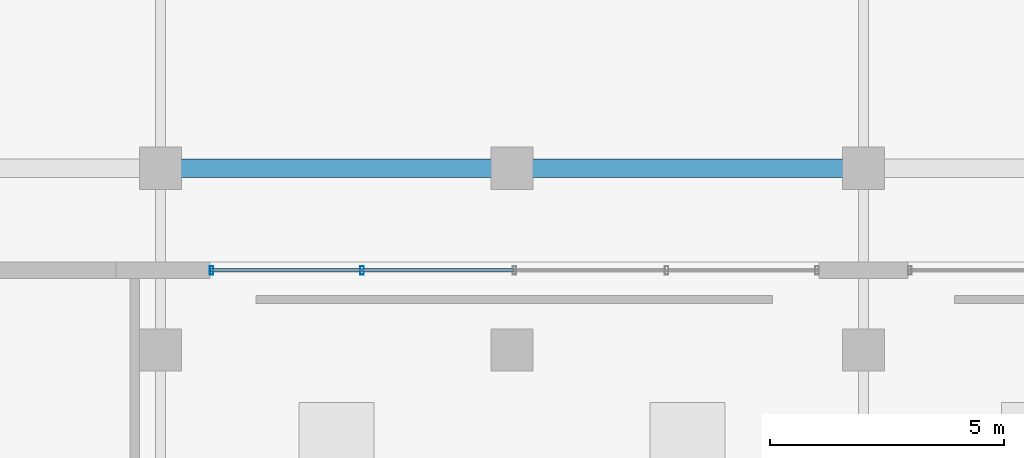
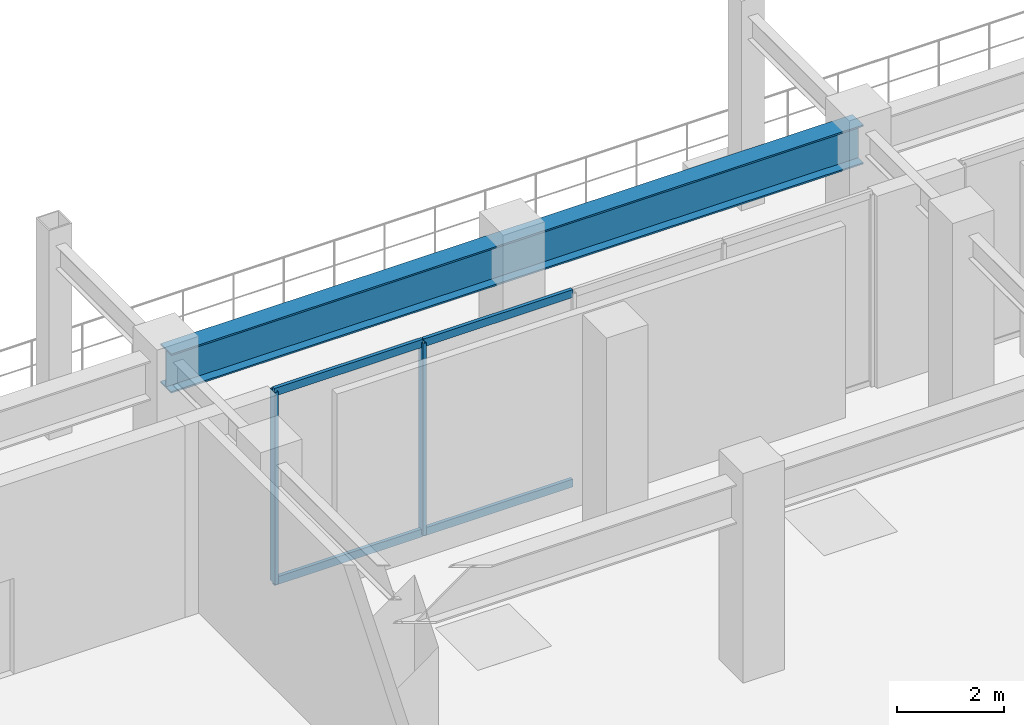
# One storey, part 4 of 15: 6 members, 1 beam, 1 element without a shape of its own.
"""IFC4 building model written with IfcOpenShell, lengths in metres."""

import ifcopenshell
import ifcopenshell.guid

model = None  # the IFC model being written
_history = None  # IfcOwnerHistory: only IFC2X3 demands one
_inside = {}  # id of a spatial element -> (the spatial element, [elements in it])
_under = {}  # id of a project, library or spatial element -> (it, [spatial elements below it])
_declared = {}  # id of a project -> (the project, [libraries it declares])
_typed = {}  # id of a type object -> (the type object, [elements of that type])
_made_of = {}  # id of a material, layer set ... -> (it, [elements and type objects made of it])


def new_model(schema):
    """Start an empty IFC model of exactly this schema.

    Asked for "IFC4X3", IfcOpenShell would pick the latest addendum, in which some entities
    have other attributes; the version numbers below select the first issue.
    IFC2X3 requires an IfcOwnerHistory on every rooted entity: one is made here for all.
    """
    global model, _history
    if schema == "IFC4X3":
        model = ifcopenshell.file(schema_version=(4, 3, 0, 0))
    else:
        model = ifcopenshell.file(schema=schema)
    _inside.clear()
    _under.clear()
    _declared.clear()
    _typed.clear()
    _made_of.clear()
    _history = None
    if model.schema == "IFC2X3":
        org = make("IfcOrganization", Name="unknown")
        user = make(
            "IfcPersonAndOrganization",
            ThePerson=make("IfcPerson", FamilyName="unknown"),
            TheOrganization=org,
        )
        app = make(
            "IfcApplication",
            ApplicationDeveloper=org,
            Version="unknown",
            ApplicationFullName="unknown",
            ApplicationIdentifier="unknown",
        )
        _history = make(
            "IfcOwnerHistory",
            OwningUser=user,
            OwningApplication=app,
            ChangeAction="ADDED",
            CreationDate=0,
        )
    return model


def make(cls, **values):
    """One entity of the class cls with the attributes given. An attribute that is None is left unset."""
    return model.create_entity(
        cls, **{name: value for name, value in values.items() if value is not None}
    )


def rooted(cls, **values):
    """An entity with a GlobalId (a new one), such as an element, a storey or a relation."""
    return make(cls, GlobalId=ifcopenshell.guid.new(), OwnerHistory=_history, **values)


def si_unit(unit_type, name, prefix=None):
    """IfcSIUnit, for example si_unit("LENGTHUNIT", "METRE", prefix="MILLI")."""
    return make("IfcSIUnit", UnitType=unit_type, Prefix=prefix, Name=name)


def assignment(units):
    """IfcUnitAssignment: the units of a project."""
    return None if units is None else make("IfcUnitAssignment", Units=units)


def point(xyz):
    """IfcCartesianPoint."""
    return None if xyz is None else make("IfcCartesianPoint", Coordinates=xyz)


def direction(xyz):
    """IfcDirection."""
    return None if xyz is None else make("IfcDirection", DirectionRatios=xyz)


def frame(location, z_axis=None, x_axis=None):
    """IfcAxis2Placement3D, a coordinate frame: its origin and axes. An axis left out is left unset."""
    return make(
        "IfcAxis2Placement3D",
        Location=point(location),
        Axis=direction(z_axis),
        RefDirection=direction(x_axis),
    )


def frame_2d(location, x_axis=None):
    """IfcAxis2Placement2D, a coordinate frame in the plane: its origin and x axis."""
    return make(
        "IfcAxis2Placement2D", Location=point(location), RefDirection=direction(x_axis)
    )


def origin():
    """The frame at (0, 0, 0) with its axes left unset."""
    return frame((0.0, 0.0, 0.0))


def origin_2d():
    """The frame at (0, 0) in the plane with its x axis left unset."""
    return frame_2d((0.0, 0.0))


def place(relative_to, where):
    """IfcLocalPlacement: puts the frame where relative to a parent placement (None: the world)."""
    return make(
        "IfcLocalPlacement", PlacementRelTo=relative_to, RelativePlacement=where
    )


def context(
    kind, dimensions, precision=None, world=None, true_north=None, identifier=None
):
    """IfcGeometricRepresentationContext, for example the 3D "Model" context."""
    return make(
        "IfcGeometricRepresentationContext",
        ContextIdentifier=identifier,
        ContextType=kind,
        CoordinateSpaceDimension=dimensions,
        Precision=precision,
        WorldCoordinateSystem=world,
        TrueNorth=true_north,
    )


def subcontext(parent, identifier, kind, view, scale=None):
    """IfcGeometricRepresentationSubContext, for example "Body" below "Model"."""
    return make(
        "IfcGeometricRepresentationSubContext",
        ContextIdentifier=identifier,
        ContextType=kind,
        ParentContext=parent,
        TargetScale=scale,
        TargetView=view,
    )


def project(units=None, contexts=None):
    """IfcProject with its units and contexts."""
    return rooted(
        "IfcProject",
        Name="project",
        RepresentationContexts=contexts,
        UnitsInContext=assignment(units),
    )


def spatial(cls, under=None, at=None, **own):
    """A site, building, storey or space (cls), placed at a placement, below another one or the project."""
    s = rooted(cls, ObjectPlacement=at, **own)
    if under is not None:
        _under.setdefault(under.id(), (under, []))[1].append(s)
    return s


def profile(cls, at=None, kind="AREA", **sizes):
    """A parametric profile (cls). Its sizes go by their IFC names, for example OverallWidth=200.0."""
    return make(cls, ProfileType=kind, Position=at, **sizes)


def hollow_rectangle(**sizes):
    """IfcRectangleHollowProfileDef."""
    return profile("IfcRectangleHollowProfileDef", **sizes)


def i_section(**sizes):
    """IfcIShapeProfileDef."""
    return profile("IfcIShapeProfileDef", **sizes)


def extrude(swept, where, along, depth):
    """IfcExtrudedAreaSolid: the profile swept, set in the frame where, extruded along a direction by depth."""
    return make(
        "IfcExtrudedAreaSolid",
        SweptArea=swept,
        Position=where,
        ExtrudedDirection=direction(along),
        Depth=depth,
    )


def shape(context_of_items, identifier, shape_type, items):
    """IfcShapeRepresentation: the items that make up one representation, for example the "Body"."""
    return make(
        "IfcShapeRepresentation",
        ContextOfItems=context_of_items,
        RepresentationIdentifier=identifier,
        RepresentationType=shape_type,
        Items=items,
    )


def material(Name=None, Category=None):
    """IfcMaterial."""
    return make("IfcMaterial", Name=Name, Category=Category)


def material_profile(
    of_material, cross_section, Name=None, Category=None, Priority=None
):
    """IfcMaterialProfile: a cross section and its material."""
    return make(
        "IfcMaterialProfile",
        Name=Name,
        Material=of_material,
        Profile=cross_section,
        Priority=Priority,
        Category=Category,
    )


def profile_set(profiles, Name=None, composite=None):
    """IfcMaterialProfileSet."""
    return make(
        "IfcMaterialProfileSet",
        Name=Name,
        MaterialProfiles=profiles,
        CompositeProfile=composite,
    )


def made_of(thing, what):
    """Note that an element or type object is made of a material, layer set ...; save() writes the relation."""
    if what is not None:
        _made_of.setdefault(what.id(), (what, []))[1].append(thing)
    return thing


def type_object(cls, material=None, **own):
    """A type object (cls), such as IfcWallType, which elements share."""
    return made_of(rooted(cls, **own), material)


def element(
    cls,
    number,
    at=None,
    inside=None,
    cuts=None,
    type_object=None,
    material=None,
    context=None,
    identifier="Body",
    shape_type=None,
    held_by="IfcProductDefinitionShape",
    body=None,
    shapes=None,
    **own,
):
    """One element of the class cls, such as IfcWall. Its Tag is "e" and its number.

    at: its placement. inside: the storey or other place that contains it. cuts: it is an
    opening in that element (IfcRelVoidsElement). A single representation is given by context,
    identifier, shape_type and body (its items); several are given by shapes. held_by: the class
    of the entity that holds the representations. save() writes the other relations.
    """
    e = rooted(cls, Tag="e%d" % number, ObjectPlacement=at, **own)
    if body is not None:
        shapes = [shape(context, identifier, shape_type, body)]
    if shapes is not None:
        e.Representation = make(held_by, Representations=shapes)
    if inside is not None:
        _inside.setdefault(inside.id(), (inside, []))[1].append(e)
    if cuts is not None:
        rooted(
            "IfcRelVoidsElement", RelatingBuildingElement=cuts, RelatedOpeningElement=e
        )
    if type_object is not None:
        _typed.setdefault(type_object.id(), (type_object, []))[1].append(e)
    return made_of(e, material)


def aggregate(whole, parts):
    """IfcRelAggregates: a whole, such as a stair, and the parts it consists of."""
    return rooted("IfcRelAggregates", RelatingObject=whole, RelatedObjects=parts)


def save(model, path):
    """Write the relations noted so far, then the file.

    IfcRelAggregates (storeys below a building ...), IfcRelContainedInSpatialStructure (elements
    in a storey), IfcRelDefinesByType, IfcRelAssociatesMaterial and IfcRelDeclares: one each for
    every whole, place, type object, material and project.
    """
    for whole, parts in _under.values():
        aggregate(whole, parts)
    for where, things in _inside.values():
        rooted(
            "IfcRelContainedInSpatialStructure",
            RelatedElements=things,
            RelatingStructure=where,
        )
    for kind, things in _typed.values():
        rooted("IfcRelDefinesByType", RelatedObjects=things, RelatingType=kind)
    for what, things in _made_of.values():
        rooted("IfcRelAssociatesMaterial", RelatedObjects=things, RelatingMaterial=what)
    for by, libraries in _declared.values():
        rooted("IfcRelDeclares", RelatingContext=by, RelatedDefinitions=libraries)
    model.write(path)


model = new_model("IFC4")

# Units and contexts
model_context = context("Model", 3, precision=1e-05, world=origin(), true_north=direction((0.0, 1.0)))
body_context = subcontext(model_context, "Body", "Model", "MODEL_VIEW")
ifc_project = project(units=[si_unit("LENGTHUNIT", "METRE"), si_unit("AREAUNIT", "SQUARE_METRE"), si_unit("VOLUMEUNIT", "CUBIC_METRE"), si_unit("PLANEANGLEUNIT", "RADIAN"), si_unit("MASSUNIT", "GRAM", prefix="KILO")], contexts=[model_context])

# Site, building, storey
site_placement = place(None, origin())
site = spatial("IfcSite", under=ifc_project, at=site_placement, CompositionType="ELEMENT")
building_placement = place(site_placement, origin())
building = spatial("IfcBuilding", under=site, at=building_placement, Name="Ventersveld Concourse Tower", CompositionType="ELEMENT")
storey_placement = place(building_placement, frame((0.0, 0.0, 19.800048828125)))
storey = spatial("IfcBuildingStorey", under=building, at=storey_placement, Name="L04", CompositionType="ELEMENT", Elevation=19.800048828125)

# Curtain wall, members
ifc_material_1 = material(Name="Anodised aluminium EN AW-6063-T6", Category="aluminium")
curtain_wall_type = type_object("IfcCurtainWallType", Name="CW-POD-2", PredefinedType="NOTDEFINED", material=ifc_material_1)
curtain_wall_placement = place(storey_placement, origin())
curtain_wall = element("IfcCurtainWall", 1, at=curtain_wall_placement, inside=storey, type_object=curtain_wall_type, Name="L04 L04 Amenity Terrace Curtain Wall 1", PredefinedType="NOTDEFINED")
ifc_material_profile_1 = material_profile(ifc_material_1, hollow_rectangle(XDim=0.074951171875, YDim=0.179931640625, WallThickness=0.00390625, at=origin_2d()), Name="ALU 180x75x4")
ifc_profile_set_1 = profile_set([ifc_material_profile_1], Name="Anodised aluminium EN AW-6063-T6")
member_type_1 = type_object("IfcMemberType", Name="CWM-180x75", PredefinedType="MULLION", material=ifc_profile_set_1)
member_1_placement = place(storey_placement, frame((14.840087890625, 41.820068359375, 0.0), z_axis=(0.0, 0.0, 1.0), x_axis=(1.0, 0.0, 0.0)))
member_1 = element("IfcMember", 2, at=member_1_placement, type_object=member_type_1, Name="CW-L04-N1 Mullion 01", PredefinedType="MULLION", context=body_context, shape_type="SweptSolid", body=[
    extrude(hollow_rectangle(XDim=0.074951171875, YDim=0.179931640625, WallThickness=0.00390625, at=origin_2d()), origin(), (0.0, 0.0, 1.0), 4.39990234375),
])
member_2_placement = place(storey_placement, frame((18.050048828125, 41.820068359375, 0.0), z_axis=(0.0, 0.0, 1.0), x_axis=(1.0, 0.0, 0.0)))
member_2 = element("IfcMember", 3, at=member_2_placement, type_object=member_type_1, Name="CW-L04-N1 Mullion 02", PredefinedType="MULLION", context=body_context, shape_type="SweptSolid", body=[
    extrude(hollow_rectangle(XDim=0.074951171875, YDim=0.179931640625, WallThickness=0.00390625, at=origin_2d()), origin(), (0.0, 0.0, 1.0), 4.39990234375),
])
ifc_material_profile_2 = material_profile(ifc_material_1, hollow_rectangle(XDim=0.074951171875, YDim=0.179931640625, WallThickness=0.00390625, at=origin_2d()), Name="ALU 180x75x4")
ifc_profile_set_2 = profile_set([ifc_material_profile_2], Name="Anodised aluminium EN AW-6063-T6")
member_type_2 = type_object("IfcMemberType", Name="CWT-180x75", PredefinedType="USERDEFINED", material=ifc_profile_set_2)
member_3_placement = place(storey_placement, frame((14.820068359375, 41.820068359375, 0.030029296875), z_axis=(1.0, 0.0, 0.0), x_axis=(0.0, 1.0, 0.0)))
member_3 = element("IfcMember", 4, at=member_3_placement, type_object=member_type_2, Name="CW-L04-N1 Transom 1-01", ObjectType="TRANSOM", PredefinedType="USERDEFINED", context=body_context, shape_type="SweptSolid", body=[
    extrude(hollow_rectangle(XDim=0.074951171875, YDim=0.179931640625, WallThickness=0.00390625, at=origin_2d()), origin(), (0.0, 0.0, 1.0), 3.219970703125),
])
member_4_placement = place(storey_placement, frame((18.06005859375, 41.820068359375, 0.030029296875), z_axis=(1.0, 0.0, 0.0), x_axis=(0.0, 1.0, 0.0)))
member_4 = element("IfcMember", 5, at=member_4_placement, type_object=member_type_2, Name="CW-L04-N1 Transom 1-02", ObjectType="TRANSOM", PredefinedType="USERDEFINED", context=body_context, shape_type="SweptSolid", body=[
    extrude(hollow_rectangle(XDim=0.074951171875, YDim=0.179931640625, WallThickness=0.00390625, at=origin_2d()), origin(), (0.0, 0.0, 1.0), 3.22998046875),
])
member_5_placement = place(storey_placement, frame((14.820068359375, 41.820068359375, 4.369873046875), z_axis=(1.0, 0.0, 0.0), x_axis=(0.0, 1.0, 0.0)))
member_5 = element("IfcMember", 6, at=member_5_placement, type_object=member_type_2, Name="CW-L04-N1 Transom 2-01", ObjectType="TRANSOM", PredefinedType="USERDEFINED", context=body_context, shape_type="SweptSolid", body=[
    extrude(hollow_rectangle(XDim=0.074951171875, YDim=0.179931640625, WallThickness=0.00390625, at=origin_2d()), origin(), (0.0, 0.0, 1.0), 3.219970703125),
])
member_6_placement = place(storey_placement, frame((18.06005859375, 41.820068359375, 4.369873046875), z_axis=(1.0, 0.0, 0.0), x_axis=(0.0, 1.0, 0.0)))
member_6 = element("IfcMember", 7, at=member_6_placement, type_object=member_type_2, Name="CW-L04-N1 Transom 2-02", ObjectType="TRANSOM", PredefinedType="USERDEFINED", context=body_context, shape_type="SweptSolid", body=[
    extrude(hollow_rectangle(XDim=0.074951171875, YDim=0.179931640625, WallThickness=0.00390625, at=origin_2d()), origin(), (0.0, 0.0, 1.0), 3.22998046875),
])
aggregate(curtain_wall, [member_1, member_2, member_3, member_4, member_5, member_6])

# Beam
ifc_material_2 = material(Name="Structural steel S355J2", Category="steel")
ifc_material_profile_3 = material_profile(ifc_material_2, i_section(OverallWidth=0.39990234375, OverallDepth=0.89990234375, WebThickness=0.02197265625, FlangeThickness=0.035888671875, at=origin_2d()), Name="PG 900x400x36")
ifc_profile_set_3 = profile_set([ifc_material_profile_3], Name="Structural steel S355J2")
beam_type = type_object("IfcBeamType", Name="GRD-PG900", PredefinedType="USERDEFINED", material=ifc_profile_set_3)
beam_placement = place(storey_placement, frame((13.75, 44.0, 3.949951171875), z_axis=(1.0, 0.0, 0.0), x_axis=(0.0, 1.0, 0.0)))
element("IfcBeam", 8, at=beam_placement, inside=storey, type_object=beam_type, Name="L04 Podium Primary Girder Y=44.0m", ObjectType="GIRDER", PredefinedType="USERDEFINED", context=body_context, shape_type="SweptSolid", body=[
    extrude(i_section(OverallWidth=0.39990234375, OverallDepth=0.89990234375, WebThickness=0.02197265625, FlangeThickness=0.035888671875, at=origin_2d()), origin(), (0.0, 0.0, 1.0), 15.0),
])

save(model, "model.ifc")
